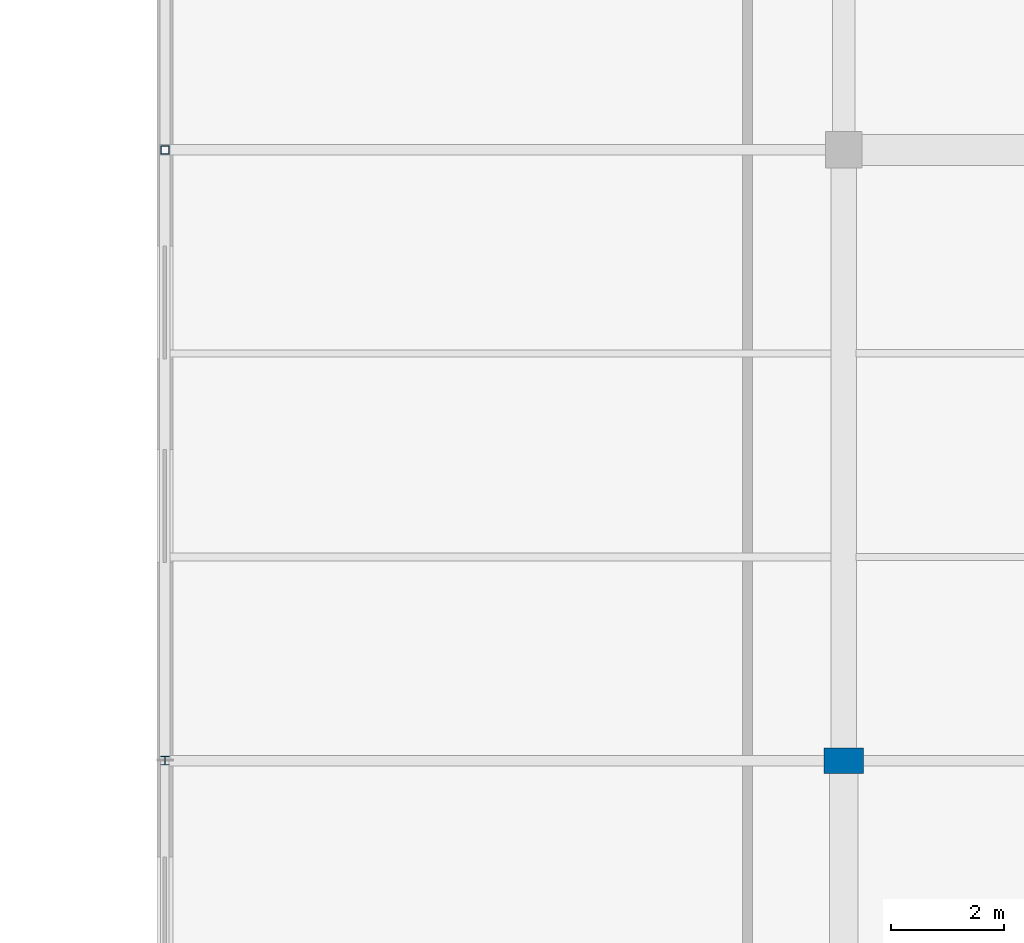
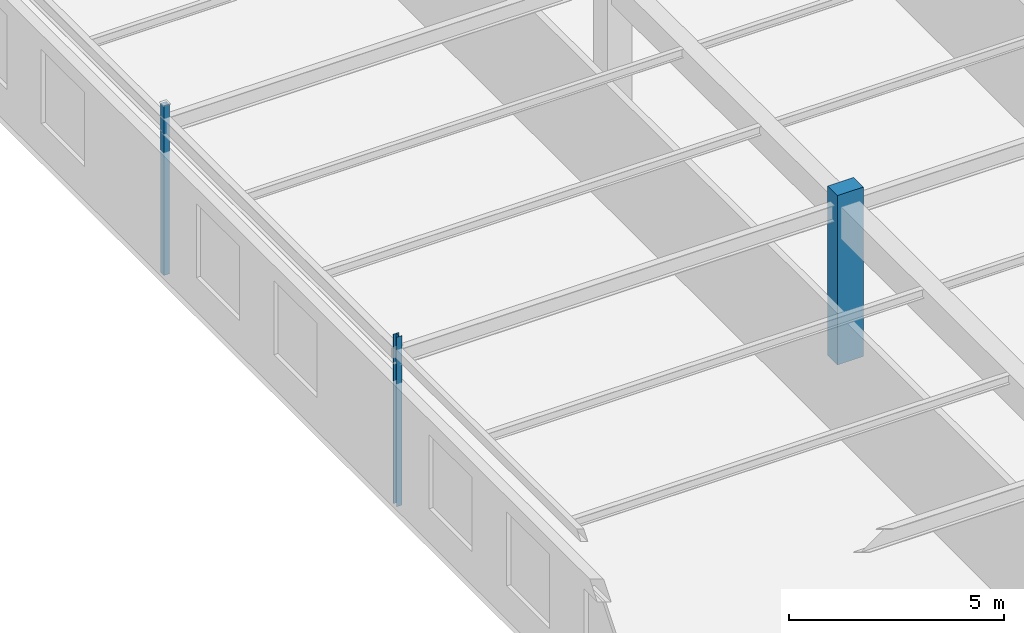
# One storey, part 23 of 199: 3 columns.
"""IFC4 building model written with IfcOpenShell, lengths in metres."""

from ifc_helpers import new_model, si_unit, direction, frame, origin, origin_2d, place, context, subcontext, project, spatial, rectangle, hollow_rectangle, i_section, extrude, material, material_profile, profile_set, type_object, element, save


model = new_model("IFC4")

# Units and contexts
model_context = context("Model", 3, precision=1e-05, world=origin(), true_north=direction((0.0, 1.0)))
body_context = subcontext(model_context, "Body", "Model", "MODEL_VIEW")
ifc_project = project(units=[si_unit("LENGTHUNIT", "METRE"), si_unit("AREAUNIT", "SQUARE_METRE"), si_unit("VOLUMEUNIT", "CUBIC_METRE"), si_unit("PLANEANGLEUNIT", "RADIAN"), si_unit("MASSUNIT", "GRAM", prefix="KILO")], contexts=[model_context])

# Site, building, storey
site_placement = place(None, origin())
site = spatial("IfcSite", under=ifc_project, at=site_placement, CompositionType="ELEMENT")
building_placement = place(site_placement, origin())
building = spatial("IfcBuilding", under=site, at=building_placement, Name="Tarnwether General Hospital", CompositionType="ELEMENT")
storey_placement = place(building_placement, origin())
storey = spatial("IfcBuildingStorey", under=building, at=storey_placement, Name="L00", CompositionType="ELEMENT", Elevation=0.0)

# Columns
ifc_material_1 = material(Name="Concrete 50 MPa", Category="concrete")
ifc_material_profile_1 = material_profile(ifc_material_1, rectangle(XDim=0.449951171875, YDim=0.699951171875, at=origin_2d()), Name="RC-PIL-450x700")
ifc_profile_set_1 = profile_set([ifc_material_profile_1], Name="Concrete 50 MPa")
column_type_1 = type_object("IfcColumnType", Name="COL-22", PredefinedType="PILASTER", material=ifc_profile_set_1)
column_1_placement = place(storey_placement, frame((12.0, 93.60009765625, 0.0), z_axis=(0.0, 0.0, 1.0), x_axis=(0.0, 1.0, 0.0)))
element("IfcColumn", 1, at=column_1_placement, inside=storey, type_object=column_type_1, Name="Column COLG-L00-1200_9360", PredefinedType="PILASTER", context=body_context, shape_type="SweptSolid", body=[
    extrude(rectangle(XDim=0.449951171875, YDim=0.699951171875, at=origin_2d()), origin(), (0.0, 0.0, 1.0), 4.800048828125),
])
ifc_material_2 = material(Name="Steel Grade 350 (350 MPa)", Category="steel")
ifc_material_profile_2 = material_profile(ifc_material_2, i_section(OverallWidth=0.152099609375, OverallDepth=0.152099609375, WebThickness=0.006103515625, FlangeThickness=0.0068359375, at=origin_2d()), Name="150UC23.4")
ifc_profile_set_2 = profile_set([ifc_material_profile_2], Name="Steel Grade 350 (350 MPa)")
column_type_2 = type_object("IfcColumnType", Name="COL-32", PredefinedType="COLUMN", material=ifc_profile_set_2)
column_2_placement = place(storey_placement, frame((0.0, 93.60009765625, 0.0), z_axis=(0.0, 0.0, 1.0), x_axis=(1.0, 0.0, 0.0)))
element("IfcColumn", 2, at=column_2_placement, inside=storey, type_object=column_type_2, Name="Column COLG-L00-0_9360", PredefinedType="COLUMN", context=body_context, shape_type="SweptSolid", body=[
    extrude(i_section(OverallWidth=0.152099609375, OverallDepth=0.152099609375, WebThickness=0.006103515625, FlangeThickness=0.0068359375, at=origin_2d()), origin(), (0.0, 0.0, 1.0), 4.800048828125),
])
ifc_material_3 = material(Name="Steel Grade C350L0 (350 MPa)", Category="steel")
ifc_material_profile_3 = material_profile(ifc_material_3, hollow_rectangle(XDim=0.14990234375, YDim=0.14990234375, WallThickness=0.008056640625, at=origin_2d()), Name="SHS150x150x8")
ifc_profile_set_3 = profile_set([ifc_material_profile_3], Name="Steel Grade C350L0 (350 MPa)")
column_type_3 = type_object("IfcColumnType", Name="COL-33", PredefinedType="COLUMN", material=ifc_profile_set_3)
column_3_placement = place(storey_placement, frame((0.0, 104.39990234375, 0.0), z_axis=(0.0, 0.0, 1.0), x_axis=(1.0, 0.0, 0.0)))
element("IfcColumn", 3, at=column_3_placement, inside=storey, type_object=column_type_3, Name="Column COLG-L00-0_10440", PredefinedType="COLUMN", context=body_context, shape_type="SweptSolid", body=[
    extrude(hollow_rectangle(XDim=0.14990234375, YDim=0.14990234375, WallThickness=0.008056640625, at=origin_2d()), origin(), (0.0, 0.0, 1.0), 4.800048828125),
])

save(model, "model.ifc")
